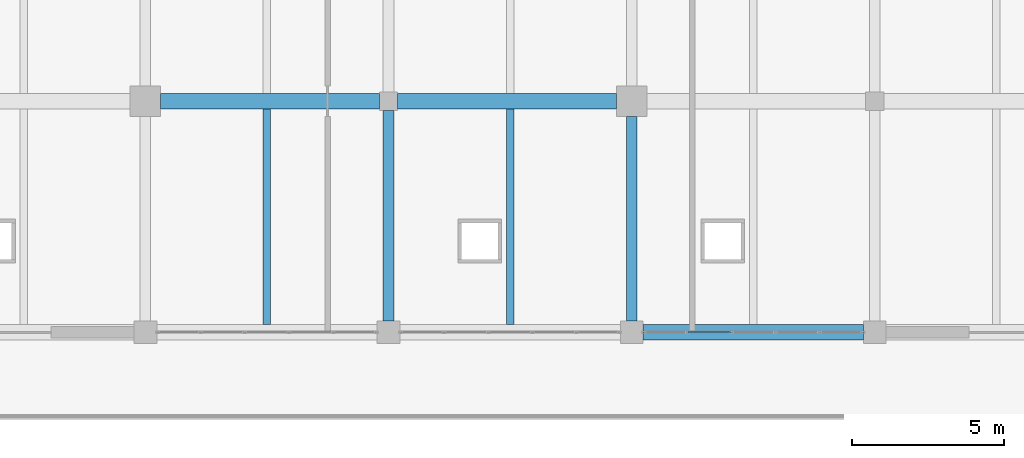
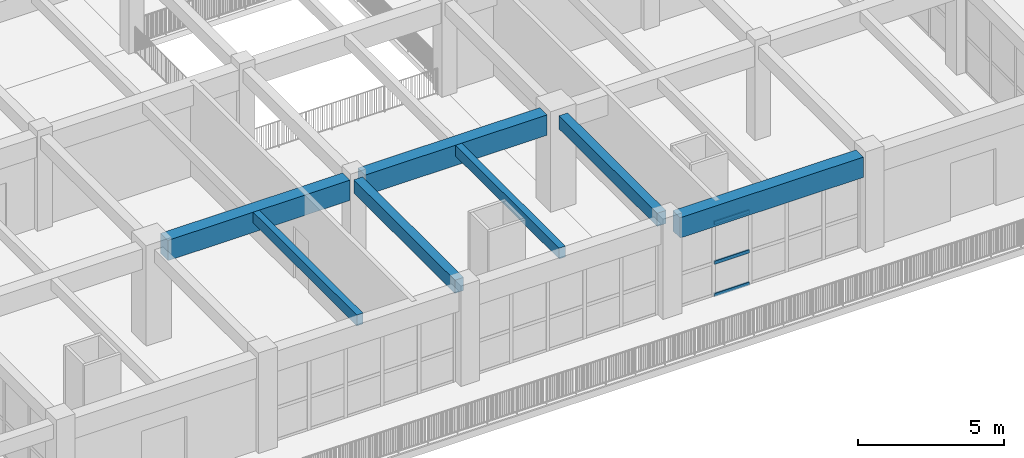
# One storey, part 16 of 63: 7 beams, 3 members, 1 element without a shape of its own.
"""IFC4 building model written with IfcOpenShell, lengths in metres."""

import ifcopenshell
import ifcopenshell.guid

model = None  # the IFC model being written
_history = None  # IfcOwnerHistory: only IFC2X3 demands one
_inside = {}  # id of a spatial element -> (the spatial element, [elements in it])
_under = {}  # id of a project, library or spatial element -> (it, [spatial elements below it])
_declared = {}  # id of a project -> (the project, [libraries it declares])
_typed = {}  # id of a type object -> (the type object, [elements of that type])
_made_of = {}  # id of a material, layer set ... -> (it, [elements and type objects made of it])


def new_model(schema):
    """Start an empty IFC model of exactly this schema.

    Asked for "IFC4X3", IfcOpenShell would pick the latest addendum, in which some entities
    have other attributes; the version numbers below select the first issue.
    IFC2X3 requires an IfcOwnerHistory on every rooted entity: one is made here for all.
    """
    global model, _history
    if schema == "IFC4X3":
        model = ifcopenshell.file(schema_version=(4, 3, 0, 0))
    else:
        model = ifcopenshell.file(schema=schema)
    _inside.clear()
    _under.clear()
    _declared.clear()
    _typed.clear()
    _made_of.clear()
    _history = None
    if model.schema == "IFC2X3":
        org = make("IfcOrganization", Name="unknown")
        user = make(
            "IfcPersonAndOrganization",
            ThePerson=make("IfcPerson", FamilyName="unknown"),
            TheOrganization=org,
        )
        app = make(
            "IfcApplication",
            ApplicationDeveloper=org,
            Version="unknown",
            ApplicationFullName="unknown",
            ApplicationIdentifier="unknown",
        )
        _history = make(
            "IfcOwnerHistory",
            OwningUser=user,
            OwningApplication=app,
            ChangeAction="ADDED",
            CreationDate=0,
        )
    return model


def make(cls, **values):
    """One entity of the class cls with the attributes given. An attribute that is None is left unset."""
    return model.create_entity(
        cls, **{name: value for name, value in values.items() if value is not None}
    )


def rooted(cls, **values):
    """An entity with a GlobalId (a new one), such as an element, a storey or a relation."""
    return make(cls, GlobalId=ifcopenshell.guid.new(), OwnerHistory=_history, **values)


def si_unit(unit_type, name, prefix=None):
    """IfcSIUnit, for example si_unit("LENGTHUNIT", "METRE", prefix="MILLI")."""
    return make("IfcSIUnit", UnitType=unit_type, Prefix=prefix, Name=name)


def assignment(units):
    """IfcUnitAssignment: the units of a project."""
    return None if units is None else make("IfcUnitAssignment", Units=units)


def point(xyz):
    """IfcCartesianPoint."""
    return None if xyz is None else make("IfcCartesianPoint", Coordinates=xyz)


def direction(xyz):
    """IfcDirection."""
    return None if xyz is None else make("IfcDirection", DirectionRatios=xyz)


def frame(location, z_axis=None, x_axis=None):
    """IfcAxis2Placement3D, a coordinate frame: its origin and axes. An axis left out is left unset."""
    return make(
        "IfcAxis2Placement3D",
        Location=point(location),
        Axis=direction(z_axis),
        RefDirection=direction(x_axis),
    )


def frame_2d(location, x_axis=None):
    """IfcAxis2Placement2D, a coordinate frame in the plane: its origin and x axis."""
    return make(
        "IfcAxis2Placement2D", Location=point(location), RefDirection=direction(x_axis)
    )


def origin():
    """The frame at (0, 0, 0) with its axes left unset."""
    return frame((0.0, 0.0, 0.0))


def origin_2d():
    """The frame at (0, 0) in the plane with its x axis left unset."""
    return frame_2d((0.0, 0.0))


def place(relative_to, where):
    """IfcLocalPlacement: puts the frame where relative to a parent placement (None: the world)."""
    return make(
        "IfcLocalPlacement", PlacementRelTo=relative_to, RelativePlacement=where
    )


def context(
    kind, dimensions, precision=None, world=None, true_north=None, identifier=None
):
    """IfcGeometricRepresentationContext, for example the 3D "Model" context."""
    return make(
        "IfcGeometricRepresentationContext",
        ContextIdentifier=identifier,
        ContextType=kind,
        CoordinateSpaceDimension=dimensions,
        Precision=precision,
        WorldCoordinateSystem=world,
        TrueNorth=true_north,
    )


def subcontext(parent, identifier, kind, view, scale=None):
    """IfcGeometricRepresentationSubContext, for example "Body" below "Model"."""
    return make(
        "IfcGeometricRepresentationSubContext",
        ContextIdentifier=identifier,
        ContextType=kind,
        ParentContext=parent,
        TargetScale=scale,
        TargetView=view,
    )


def project(units=None, contexts=None):
    """IfcProject with its units and contexts."""
    return rooted(
        "IfcProject",
        Name="project",
        RepresentationContexts=contexts,
        UnitsInContext=assignment(units),
    )


def spatial(cls, under=None, at=None, **own):
    """A site, building, storey or space (cls), placed at a placement, below another one or the project."""
    s = rooted(cls, ObjectPlacement=at, **own)
    if under is not None:
        _under.setdefault(under.id(), (under, []))[1].append(s)
    return s


def profile(cls, at=None, kind="AREA", **sizes):
    """A parametric profile (cls). Its sizes go by their IFC names, for example OverallWidth=200.0."""
    return make(cls, ProfileType=kind, Position=at, **sizes)


def rectangle(**sizes):
    """IfcRectangleProfileDef."""
    return profile("IfcRectangleProfileDef", **sizes)


def hollow_rectangle(**sizes):
    """IfcRectangleHollowProfileDef."""
    return profile("IfcRectangleHollowProfileDef", **sizes)


def extrude(swept, where, along, depth):
    """IfcExtrudedAreaSolid: the profile swept, set in the frame where, extruded along a direction by depth."""
    return make(
        "IfcExtrudedAreaSolid",
        SweptArea=swept,
        Position=where,
        ExtrudedDirection=direction(along),
        Depth=depth,
    )


def shape(context_of_items, identifier, shape_type, items):
    """IfcShapeRepresentation: the items that make up one representation, for example the "Body"."""
    return make(
        "IfcShapeRepresentation",
        ContextOfItems=context_of_items,
        RepresentationIdentifier=identifier,
        RepresentationType=shape_type,
        Items=items,
    )


def material(Name=None, Category=None):
    """IfcMaterial."""
    return make("IfcMaterial", Name=Name, Category=Category)


def material_profile(
    of_material, cross_section, Name=None, Category=None, Priority=None
):
    """IfcMaterialProfile: a cross section and its material."""
    return make(
        "IfcMaterialProfile",
        Name=Name,
        Material=of_material,
        Profile=cross_section,
        Priority=Priority,
        Category=Category,
    )


def profile_set(profiles, Name=None, composite=None):
    """IfcMaterialProfileSet."""
    return make(
        "IfcMaterialProfileSet",
        Name=Name,
        MaterialProfiles=profiles,
        CompositeProfile=composite,
    )


def made_of(thing, what):
    """Note that an element or type object is made of a material, layer set ...; save() writes the relation."""
    if what is not None:
        _made_of.setdefault(what.id(), (what, []))[1].append(thing)
    return thing


def type_object(cls, material=None, **own):
    """A type object (cls), such as IfcWallType, which elements share."""
    return made_of(rooted(cls, **own), material)


def element(
    cls,
    number,
    at=None,
    inside=None,
    cuts=None,
    type_object=None,
    material=None,
    context=None,
    identifier="Body",
    shape_type=None,
    held_by="IfcProductDefinitionShape",
    body=None,
    shapes=None,
    **own,
):
    """One element of the class cls, such as IfcWall. Its Tag is "e" and its number.

    at: its placement. inside: the storey or other place that contains it. cuts: it is an
    opening in that element (IfcRelVoidsElement). A single representation is given by context,
    identifier, shape_type and body (its items); several are given by shapes. held_by: the class
    of the entity that holds the representations. save() writes the other relations.
    """
    e = rooted(cls, Tag="e%d" % number, ObjectPlacement=at, **own)
    if body is not None:
        shapes = [shape(context, identifier, shape_type, body)]
    if shapes is not None:
        e.Representation = make(held_by, Representations=shapes)
    if inside is not None:
        _inside.setdefault(inside.id(), (inside, []))[1].append(e)
    if cuts is not None:
        rooted(
            "IfcRelVoidsElement", RelatingBuildingElement=cuts, RelatedOpeningElement=e
        )
    if type_object is not None:
        _typed.setdefault(type_object.id(), (type_object, []))[1].append(e)
    return made_of(e, material)


def aggregate(whole, parts):
    """IfcRelAggregates: a whole, such as a stair, and the parts it consists of."""
    return rooted("IfcRelAggregates", RelatingObject=whole, RelatedObjects=parts)


def save(model, path):
    """Write the relations noted so far, then the file.

    IfcRelAggregates (storeys below a building ...), IfcRelContainedInSpatialStructure (elements
    in a storey), IfcRelDefinesByType, IfcRelAssociatesMaterial and IfcRelDeclares: one each for
    every whole, place, type object, material and project.
    """
    for whole, parts in _under.values():
        aggregate(whole, parts)
    for where, things in _inside.values():
        rooted(
            "IfcRelContainedInSpatialStructure",
            RelatedElements=things,
            RelatingStructure=where,
        )
    for kind, things in _typed.values():
        rooted("IfcRelDefinesByType", RelatedObjects=things, RelatingType=kind)
    for what, things in _made_of.values():
        rooted("IfcRelAssociatesMaterial", RelatedObjects=things, RelatingMaterial=what)
    for by, libraries in _declared.values():
        rooted("IfcRelDeclares", RelatingContext=by, RelatedDefinitions=libraries)
    model.write(path)


model = new_model("IFC4")

# Units and contexts
model_context = context("Model", 3, precision=1e-05, world=origin(), true_north=direction((0.0, 1.0)))
body_context = subcontext(model_context, "Body", "Model", "MODEL_VIEW")
ifc_project = project(units=[si_unit("LENGTHUNIT", "METRE"), si_unit("AREAUNIT", "SQUARE_METRE"), si_unit("VOLUMEUNIT", "CUBIC_METRE"), si_unit("PLANEANGLEUNIT", "RADIAN"), si_unit("MASSUNIT", "GRAM", prefix="KILO")], contexts=[model_context])

# Site, building, storey
site_placement = place(None, origin())
site = spatial("IfcSite", under=ifc_project, at=site_placement, CompositionType="ELEMENT")
building_placement = place(site_placement, origin())
building = spatial("IfcBuilding", under=site, at=building_placement, Name="Zantavel Square City Hall", CompositionType="ELEMENT")
storey_placement = place(building_placement, frame((0.0, 0.0, 14.699951171875)))
storey = spatial("IfcBuildingStorey", under=building, at=storey_placement, Name="L04", CompositionType="ELEMENT", Elevation=14.699951171875)

# Curtain wall, members
ifc_material_1 = material(Name="Anodised aluminium 6063-T6", Category="aluminium")
curtain_wall_type = type_object("IfcCurtainWallType", Name="Curtain Wall TRV1 7250x3070", PredefinedType="USERDEFINED", material=ifc_material_1)
curtain_wall_placement = place(storey_placement, origin())
curtain_wall = element("IfcCurtainWall", 1, at=curtain_wall_placement, inside=storey, type_object=curtain_wall_type, Name="L04 Glazed Curtain Wall CW-L04-115", ObjectType="GLAZED CURTAIN WALL", PredefinedType="USERDEFINED")
ifc_material_profile_1 = material_profile(ifc_material_1, hollow_rectangle(XDim=0.06005859375, YDim=0.139892578125, WallThickness=0.00390625, at=origin_2d()), Name="ALU 60x140x4")
ifc_profile_set_1 = profile_set([ifc_material_profile_1], Name="Anodised aluminium 6063-T6")
member_type = type_object("IfcMemberType", Name="CW Transom ALU 60x140x4", PredefinedType="USERDEFINED", material=ifc_profile_set_1)
member_1_placement = place(storey_placement, frame((91.2451171875, 30.39990234375, 0.030029296875), z_axis=(-1.0, 0.0, 0.0), x_axis=(0.0, -1.0, 0.0)))
member_1 = element("IfcMember", 2, at=member_1_placement, type_object=member_type, Name="CW-115 transom 4.1", ObjectType="TRANSOM", PredefinedType="USERDEFINED", context=body_context, shape_type="SweptSolid", body=[
    extrude(hollow_rectangle(XDim=0.06005859375, YDim=0.139892578125, WallThickness=0.00390625, at=origin_2d()), origin(), (0.0, 0.0, 1.0), 1.39013671875),
])
member_2_placement = place(storey_placement, frame((91.2451171875, 30.39990234375, 1.381103515625), z_axis=(-1.0, 0.0, 0.0), x_axis=(0.0, -1.0, 0.0)))
member_2 = element("IfcMember", 3, at=member_2_placement, type_object=member_type, Name="CW-115 transom 4.2", ObjectType="TRANSOM", PredefinedType="USERDEFINED", context=body_context, shape_type="SweptSolid", body=[
    extrude(hollow_rectangle(XDim=0.06005859375, YDim=0.139892578125, WallThickness=0.00390625, at=origin_2d()), origin(), (0.0, 0.0, 1.0), 1.39013671875),
])
member_3_placement = place(storey_placement, frame((91.2451171875, 30.39990234375, 3.0400390625), z_axis=(-1.0, 0.0, 0.0), x_axis=(0.0, -1.0, 0.0)))
member_3 = element("IfcMember", 4, at=member_3_placement, type_object=member_type, Name="CW-115 transom 4.3", ObjectType="TRANSOM", PredefinedType="USERDEFINED", context=body_context, shape_type="SweptSolid", body=[
    extrude(hollow_rectangle(XDim=0.06005859375, YDim=0.139892578125, WallThickness=0.00390625, at=origin_2d()), origin(), (0.0, 0.0, 1.0), 1.39013671875),
])
aggregate(curtain_wall, [member_1, member_2, member_3])

# Beams
ifc_material_2 = material(Name="Concrete C40/50", Category="concrete")
ifc_material_profile_2 = material_profile(ifc_material_2, rectangle(XDim=0.5, YDim=0.85009765625, at=origin_2d()), Name="RC 500x850")
ifc_profile_set_2 = profile_set([ifc_material_profile_2], Name="Concrete C40/50")
beam_type_1 = type_object("IfcBeamType", Name="Council Chamber Girder RC 500x850 C40/50", PredefinedType="BEAM", material=ifc_profile_set_2)
for number, where, z_axis, x_axis, name in (
    (5, (72.5, 38.0, 3.4951171875), (1.0, 0.0, 0.0), (0.0, 1.0, 0.0), "L04 Girder BMX-L04-0720-0380"),
    (6, (80.300048828125, 38.0, 3.4951171875), (1.0, 0.0, 0.0), (0.0, 1.0, 0.0), "L04 Girder BMX-L04-0800-0380"),
):
    element("IfcBeam", number, at=place(storey_placement, frame(where, z_axis=z_axis, x_axis=x_axis)), inside=storey, type_object=beam_type_1, Name=name, PredefinedType="BEAM", context=body_context, shape_type="SweptSolid", body=[
        extrude(rectangle(XDim=0.5, YDim=0.85009765625, at=origin_2d()), origin(), (0.0, 0.0, 1.0), 7.199951171875),
    ])
beam_1_placement = place(storey_placement, frame((88.375, 30.39990234375, 3.4951171875), z_axis=(1.0, 0.0, 0.0), x_axis=(0.0, 1.0, 0.0)))
element("IfcBeam", 7, at=beam_1_placement, inside=storey, type_object=beam_type_1, Name="L04 Girder BMX-L04-0880-0304", PredefinedType="BEAM", context=body_context, shape_type="SweptSolid", body=[
    extrude(rectangle(XDim=0.5, YDim=0.85009765625, at=origin_2d()), origin(), (0.0, 0.0, 1.0), 7.25),
])
ifc_material_3 = material(Name="Concrete C35/45", Category="concrete")
ifc_material_profile_3 = material_profile(ifc_material_3, rectangle(XDim=0.25, YDim=0.449951171875, at=origin_2d()), Name="RC 250x450")
ifc_profile_set_3 = profile_set([ifc_material_profile_3], Name="Concrete C35/45")
beam_type_2 = type_object("IfcBeamType", Name="Light Floor Joist RC 250x450 C35/45", PredefinedType="JOIST", material=ifc_profile_set_3)
for number, where, z_axis, x_axis, name in (
    (8, (76.0, 30.64990234375, 3.695068359375), (0.0, 1.0, 0.0), (-1.0, 0.0, 0.0), "L04 Floor Joist JST-L04-0760-0304"),
    (9, (84.0, 30.64990234375, 3.695068359375), (0.0, 1.0, 0.0), (-1.0, 0.0, 0.0), "L04 Floor Joist JST-L04-0840-0304"),
):
    element("IfcBeam", number, at=place(storey_placement, frame(where, z_axis=z_axis, x_axis=x_axis)), inside=storey, type_object=beam_type_2, Name=name, PredefinedType="JOIST", context=body_context, shape_type="SweptSolid", body=[
        extrude(rectangle(XDim=0.25, YDim=0.449951171875, at=origin_2d()), origin(), (0.0, 0.0, 1.0), 7.10009765625),
    ])
ifc_material_profile_4 = material_profile(ifc_material_3, rectangle(XDim=0.35009765625, YDim=0.550048828125, at=origin_2d()), Name="RC 350x550")
ifc_profile_set_4 = profile_set([ifc_material_profile_4], Name="Concrete C35/45")
beam_type_3 = type_object("IfcBeamType", Name="Secondary Beam RC 350x550 C35/45", PredefinedType="BEAM", material=ifc_profile_set_4)
beam_2_placement = place(storey_placement, frame((80.0, 30.77490234375, 3.64501953125), z_axis=(0.0, 1.0, 0.0), x_axis=(-1.0, 0.0, 0.0)))
element("IfcBeam", 10, at=beam_2_placement, inside=storey, type_object=beam_type_3, Name="L04 Beam BMY-L04-0800-0304", PredefinedType="BEAM", context=body_context, shape_type="SweptSolid", body=[
    extrude(rectangle(XDim=0.35009765625, YDim=0.550048828125, at=origin_2d()), origin(), (0.0, 0.0, 1.0), 6.925048828125),
])
beam_3_placement = place(storey_placement, frame((88.0, 30.77490234375, 3.64501953125), z_axis=(0.0, 1.0, 0.0), x_axis=(-1.0, 0.0, 0.0)))
element("IfcBeam", 11, at=beam_3_placement, inside=storey, type_object=beam_type_3, Name="L04 Beam BMY-L04-0880-0304", PredefinedType="BEAM", context=body_context, shape_type="SweptSolid", body=[
    extrude(rectangle(XDim=0.35009765625, YDim=0.550048828125, at=origin_2d()), origin(), (0.0, 0.0, 1.0), 6.72509765625),
])

save(model, "model.ifc")
